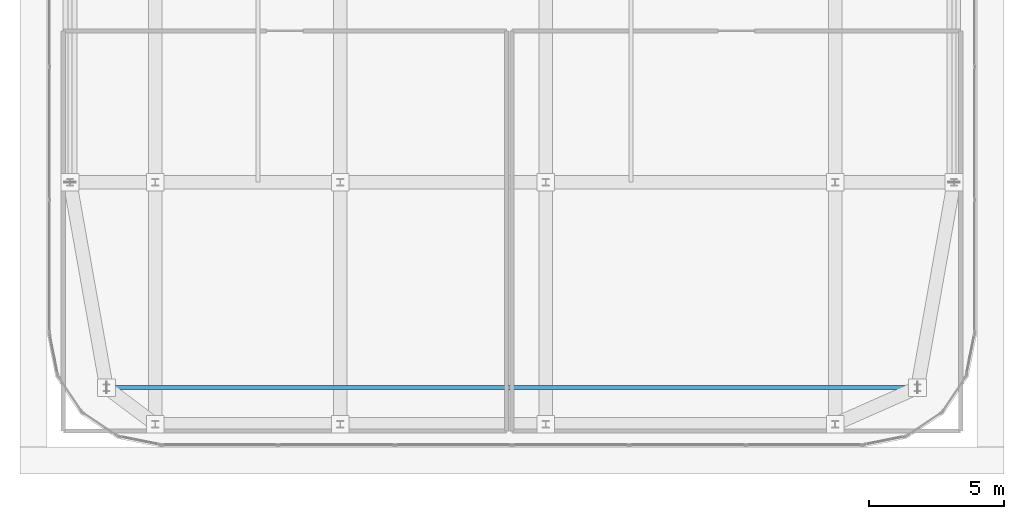
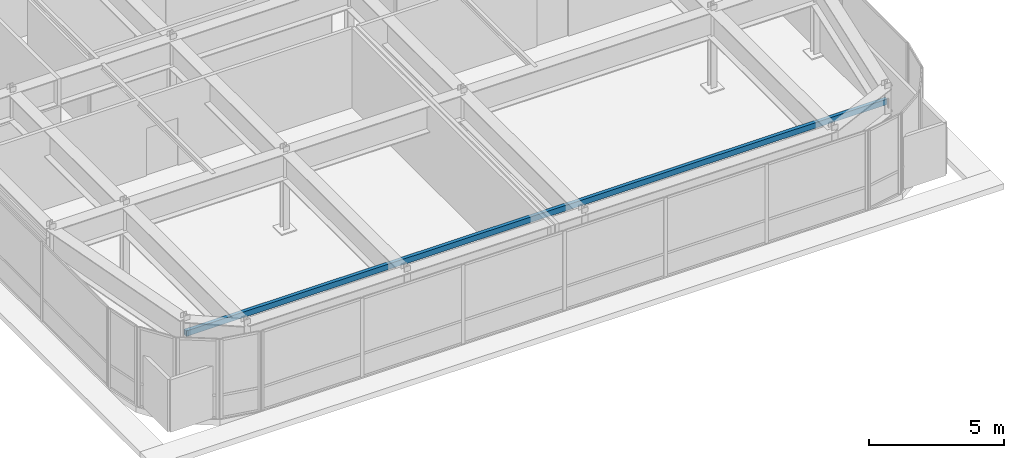
# One storey, part 11 of 35: 1 member.
"""IFC4 building model written with IfcOpenShell, lengths in metres."""

from ifc_helpers import new_model, si_unit, direction, frame, origin, origin_2d, place, context, subcontext, project, spatial, hollow_rectangle, extrude, source, transform, mapped, material, material_profile, profile_set, type_object, type_shapes, element, save


model = new_model("IFC4")

# Units and contexts
model_context = context("Model", 3, precision=1e-05, world=origin(), true_north=direction((0.0, 1.0)))
body_context = subcontext(model_context, "Body", "Model", "MODEL_VIEW")
ifc_project = project(units=[si_unit("LENGTHUNIT", "METRE"), si_unit("AREAUNIT", "SQUARE_METRE"), si_unit("VOLUMEUNIT", "CUBIC_METRE"), si_unit("PLANEANGLEUNIT", "RADIAN"), si_unit("MASSUNIT", "GRAM", prefix="KILO")], contexts=[model_context])

# Site, building, storey
site_placement = place(None, origin())
site = spatial("IfcSite", under=ifc_project, at=site_placement, CompositionType="ELEMENT")
building_placement = place(site_placement, origin())
building = spatial("IfcBuilding", under=site, at=building_placement, Name="Tolvann Quenvar Hotel", CompositionType="ELEMENT")
storey_placement = place(building_placement, frame((0.0, 0.0, 290.949951171875)))
storey = spatial("IfcBuildingStorey", under=building, at=storey_placement, Name="L77", CompositionType="ELEMENT", Elevation=290.949951171875)

# Member
ifc_material = material(Name="Steel Grade 450 (C450L0)", Category="steel")
ifc_material_profile = material_profile(ifc_material, hollow_rectangle(XDim=0.14990234375, YDim=0.25, WallThickness=0.009033203125, at=origin_2d()), Name="250x150x9RHS")
ifc_profile_set = profile_set([ifc_material_profile], Name="Steel Grade 450 (C450L0)")
member_type = type_object("IfcMemberType", Name="MEM_CROWN_250RHS", PredefinedType="USERDEFINED", material=ifc_profile_set)
shared_shape = source(origin(), body_context, "Body", "SweptSolid", [
    extrude(hollow_rectangle(XDim=0.14990234375, YDim=0.25, WallThickness=0.009033203125, at=origin_2d()), origin(), (0.0, 0.0, 1.0), 30.0),
])
type_shapes(member_type, [shared_shape])
member_placement = place(storey_placement, frame((5.800048828125, 8.39990234375, 2.929931640625), z_axis=(1.0, 0.0, 0.0), x_axis=(0.0, 1.0, 0.0)))
element("IfcMember", 1, at=member_placement, inside=storey, type_object=member_type, Name="Crown Frame Ring Member (L77-1)", ObjectType="CROWN FRAME", PredefinedType="USERDEFINED", context=body_context, shape_type="MappedRepresentation", body=[
    mapped(shared_shape, transform((0.0, 0.0, 0.0), x_axis=(1.0, 0.0, 0.0), y_axis=(0.0, 1.0, 0.0), z_axis=(0.0, 0.0, 1.0), scale=1.0)),
])

save(model, "model.ifc")
